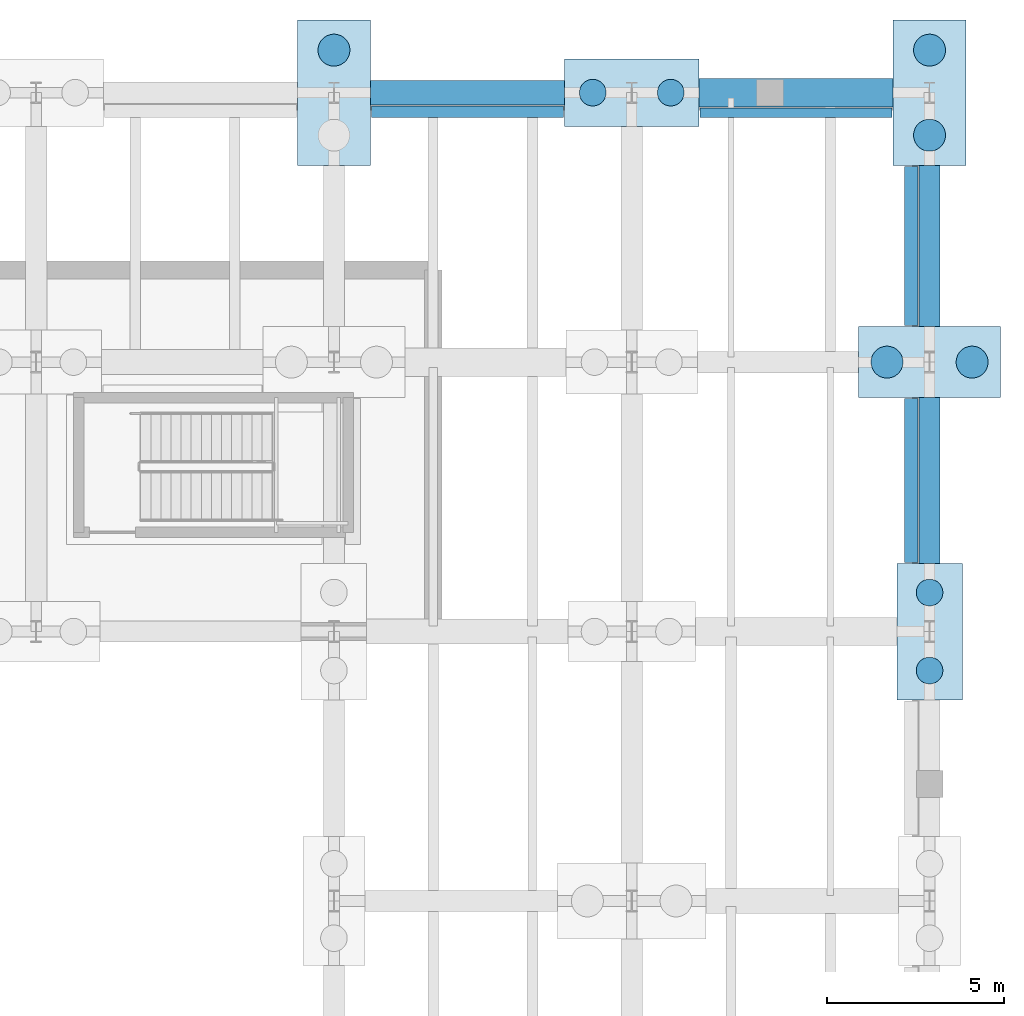
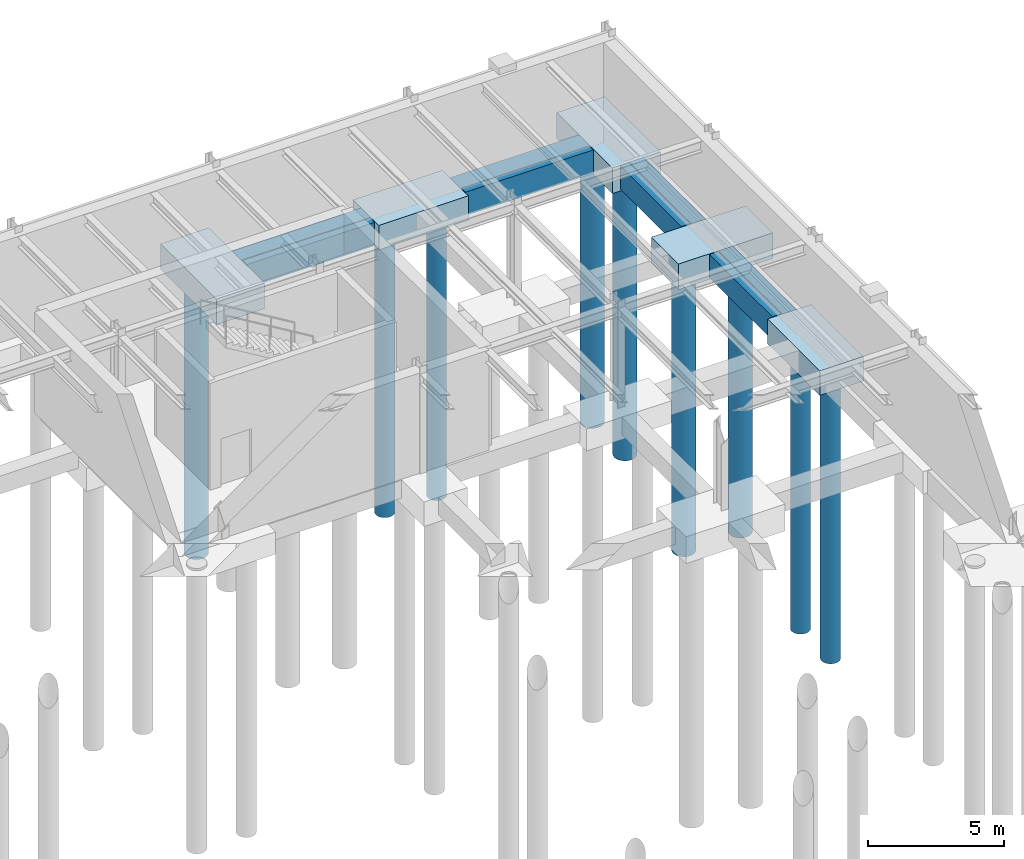
# One storey, part 13 of 59: 13 footings, 9 piles.
"""IFC4 building model written with IfcOpenShell, lengths in metres."""

from ifc_helpers import new_model, si_unit, direction, frame, origin, origin_2d, place, context, subcontext, project, spatial, polyline, rectangle, circle, outline, extrude, material, material_profile, profile_set, type_object, element, save


model = new_model("IFC4")

# Units and contexts
model_context = context("Model", 3, precision=1e-05, world=origin(), true_north=direction((0.0, 1.0)))
body_context = subcontext(model_context, "Body", "Model", "MODEL_VIEW")
ifc_project = project(units=[si_unit("LENGTHUNIT", "METRE"), si_unit("AREAUNIT", "SQUARE_METRE"), si_unit("VOLUMEUNIT", "CUBIC_METRE"), si_unit("PLANEANGLEUNIT", "RADIAN"), si_unit("MASSUNIT", "GRAM", prefix="KILO")], contexts=[model_context])

# Site, building, storey
site_placement = place(None, origin())
site = spatial("IfcSite", under=ifc_project, at=site_placement, CompositionType="ELEMENT")
building_placement = place(site_placement, origin())
building = spatial("IfcBuilding", under=site, at=building_placement, Name="Montealbar Specialist Clinic", CompositionType="ELEMENT")
storey_placement = place(building_placement, frame((0.0, 0.0, -4.800048828125)))
storey = spatial("IfcBuildingStorey", under=building, at=storey_placement, Name="B01", CompositionType="ELEMENT", Elevation=-4.800048828125)

# Footings
ifc_material = material(Name="Concrete C35/45", Category="concrete")
footing_type_1 = type_object("IfcFootingType", Name="FB-TIE-600x800", PredefinedType="FOOTING_BEAM", material=ifc_material)
footing_1_placement = place(storey_placement, frame((0.0, 0.0, -0.800048828125)))
element("IfcFooting", 1, at=footing_1_placement, inside=storey, type_object=footing_type_1, Name="Foundation Tie Beam FBY-1620-977-1024", PredefinedType="FOOTING_BEAM", context=body_context, shape_type="SweptSolid", body=[
    extrude(outline(polyline([(161.699951171875, 97.72509765625), (162.300048828125, 97.72509765625), (162.300048828125, 102.39990234375), (161.699951171875, 102.39990234375), (161.699951171875, 97.72509765625)])), origin(), (0.0, 0.0, 1.0), 0.800048828125),
])
footing_2_placement = place(storey_placement, frame((0.0, 0.0, -0.800048828125)))
element("IfcFooting", 2, at=footing_2_placement, inside=storey, type_object=footing_type_1, Name="Foundation Tie Beam FBY-1620-1044-1090", PredefinedType="FOOTING_BEAM", context=body_context, shape_type="SweptSolid", body=[
    extrude(outline(polyline([(161.699951171875, 104.39990234375), (162.300048828125, 104.39990234375), (162.300048828125, 108.949951171875), (161.699951171875, 108.949951171875), (161.699951171875, 104.39990234375)])), origin(), (0.0, 0.0, 1.0), 0.800048828125),
])
footing_type_2 = type_object("IfcFootingType", Name="FB-TIE-700x900", PredefinedType="FOOTING_BEAM", material=ifc_material)
footing_3_placement = place(storey_placement, frame((0.0, 0.0, -0.89990234375)))
element("IfcFooting", 3, at=footing_3_placement, inside=storey, type_object=footing_type_2, Name="Foundation Ground Beam FBX-1462-1517-1110", PredefinedType="FOOTING_BEAM", context=body_context, shape_type="SweptSolid", body=[
    extrude(outline(polyline([(146.22509765625, 110.64990234375), (151.699951171875, 110.64990234375), (151.699951171875, 111.35009765625), (146.22509765625, 111.35009765625), (146.22509765625, 110.64990234375)])), origin(), (0.0, 0.0, 1.0), 0.89990234375),
])
footing_type_3 = type_object("IfcFootingType", Name="FB-TIE-800x1000", PredefinedType="FOOTING_BEAM", material=ifc_material)
footing_4_placement = place(storey_placement, frame((0.0, 0.0, -1.0)))
element("IfcFooting", 4, at=footing_4_placement, inside=storey, type_object=footing_type_3, Name="Foundation Ground Beam FBX-1555-1610-1110", PredefinedType="FOOTING_BEAM", context=body_context, shape_type="SweptSolid", body=[
    extrude(outline(polyline([(155.5, 110.60009765625), (160.97509765625, 110.60009765625), (160.97509765625, 111.39990234375), (155.5, 111.39990234375), (155.5, 110.60009765625)])), origin(), (0.0, 0.0, 1.0), 1.0),
])
footing_type_4 = type_object("IfcFootingType", Name="FT-CORE-STRIP", PredefinedType="STRIP_FOOTING", material=ifc_material)
footing_5_placement = place(storey_placement, frame((0.0, 0.0, -1.050048828125)))
element("IfcFooting", 5, at=footing_5_placement, inside=storey, type_object=footing_type_4, Name="Strip Footing FT-PLINTH-N-ALL-10", PredefinedType="STRIP_FOOTING", context=body_context, shape_type="SweptSolid", body=[
    extrude(outline(polyline([(146.2548828125, 110.300048828125), (146.2548828125, 110.6201171875), (151.669921875, 110.6201171875), (151.669921875, 110.300048828125), (146.2548828125, 110.300048828125)])), origin(), (0.0, 0.0, 1.0), 1.050048828125),
])
footing_6_placement = place(storey_placement, frame((0.0, 0.0, -1.050048828125)))
element("IfcFooting", 6, at=footing_6_placement, inside=storey, type_object=footing_type_4, Name="Strip Footing FT-PLINTH-N-ALL-11", PredefinedType="STRIP_FOOTING", context=body_context, shape_type="SweptSolid", body=[
    extrude(outline(polyline([(155.530029296875, 110.300048828125), (155.530029296875, 110.570068359375), (160.945068359375, 110.570068359375), (160.945068359375, 110.300048828125), (155.530029296875, 110.300048828125)])), origin(), (0.0, 0.0, 1.0), 1.050048828125),
])
footing_7_placement = place(storey_placement, frame((0.0, 0.0, -1.050048828125)))
element("IfcFooting", 7, at=footing_7_placement, inside=storey, type_object=footing_type_4, Name="Strip Footing FT-PLINTH-NE-E-2", PredefinedType="STRIP_FOOTING", context=body_context, shape_type="SweptSolid", body=[
    extrude(outline(polyline([(161.300048828125, 102.3701171875), (161.669921875, 102.3701171875), (161.669921875, 97.7548828125), (161.300048828125, 97.7548828125), (161.300048828125, 102.3701171875)])), origin(), (0.0, 0.0, 1.0), 1.050048828125),
])
footing_8_placement = place(storey_placement, frame((0.0, 0.0, -1.050048828125)))
element("IfcFooting", 8, at=footing_8_placement, inside=storey, type_object=footing_type_4, Name="Strip Footing FT-PLINTH-NE-E-3", PredefinedType="STRIP_FOOTING", context=body_context, shape_type="SweptSolid", body=[
    extrude(outline(polyline([(161.669921875, 108.919921875), (161.669921875, 104.429931640625), (161.300048828125, 104.429931640625), (161.300048828125, 108.919921875), (161.669921875, 108.919921875)])), origin(), (0.0, 0.0, 1.0), 1.050048828125),
])
footing_type_5 = type_object("IfcFootingType", Name="PC-2C", PredefinedType="PILE_CAP", material=ifc_material)
footing_9_placement = place(storey_placement, frame((153.60009765625, 111.0, -1.10009765625), z_axis=(0.0, 0.0, 1.0), x_axis=(1.0, 0.0, 0.0)))
element("IfcFooting", 9, at=footing_9_placement, inside=storey, type_object=footing_type_5, Name="Pile Cap 20/P", PredefinedType="PILE_CAP", context=body_context, shape_type="SweptSolid", body=[
    extrude(rectangle(XDim=3.800048828125, YDim=1.89990234375, at=origin_2d()), origin(), (0.0, 0.0, 1.0), 1.10009765625),
])
footing_type_6 = type_object("IfcFootingType", Name="PC-2E", PredefinedType="PILE_CAP", material=ifc_material)
footing_10_placement = place(storey_placement, frame((162.0, 95.800048828125, -1.10009765625), z_axis=(0.0, 0.0, 1.0), x_axis=(1.0, 0.0, 0.0)))
element("IfcFooting", 10, at=footing_10_placement, inside=storey, type_object=footing_type_6, Name="Pile Cap 21/M", PredefinedType="PILE_CAP", context=body_context, shape_type="SweptSolid", body=[
    extrude(rectangle(XDim=1.85009765625, YDim=3.85009765625, at=origin_2d()), origin(), (0.0, 0.0, 1.0), 1.10009765625),
])
footing_type_7 = type_object("IfcFootingType", Name="PC-2F", PredefinedType="PILE_CAP", material=ifc_material)
footing_11_placement = place(storey_placement, frame((162.0, 103.39990234375, -1.14990234375), z_axis=(0.0, 0.0, 1.0), x_axis=(1.0, 0.0, 0.0)))
element("IfcFooting", 11, at=footing_11_placement, inside=storey, type_object=footing_type_7, Name="Pile Cap 21/N", PredefinedType="PILE_CAP", context=body_context, shape_type="SweptSolid", body=[
    extrude(rectangle(XDim=4.0, YDim=2.0, at=origin_2d()), origin(), (0.0, 0.0, 1.0), 1.14990234375),
])
footing_type_8 = type_object("IfcFootingType", Name="PC-2G", PredefinedType="PILE_CAP", material=ifc_material)
for number, where, z_axis, x_axis, name in (
    (12, (145.199951171875, 111.0, -1.14990234375), (0.0, 0.0, 1.0), (1.0, 0.0, 0.0), "Pile Cap 19/P"),
    (13, (162.0, 111.0, -1.14990234375), (0.0, 0.0, 1.0), (1.0, 0.0, 0.0), "Pile Cap 21/P"),
):
    element("IfcFooting", number, at=place(storey_placement, frame(where, z_axis=z_axis, x_axis=x_axis)), inside=storey, type_object=footing_type_8, Name=name, PredefinedType="PILE_CAP", context=body_context, shape_type="SweptSolid", body=[
        extrude(rectangle(XDim=2.050048828125, YDim=4.10009765625, at=origin_2d()), origin(), (0.0, 0.0, 1.0), 1.14990234375),
    ])

# Piles
ifc_material_profile_1 = material_profile(ifc_material, circle(Radius=0.375, at=origin_2d()), Name="PILE D750", Category="concrete")
ifc_profile_set_1 = profile_set([ifc_material_profile_1], Name="Concrete C35/45")
pile_type_1 = type_object("IfcPileType", Name="PILE-D750", PredefinedType="BORED", material=ifc_profile_set_1)
for number, where, z_axis, x_axis, name in (
    (14, (152.5, 111.0, -1.0), (0.0, 0.0, -1.0), (1.0, 0.0, 0.0), "Bored Pile 20/P-P1"),
    (15, (154.699951171875, 111.0, -1.0), (0.0, 0.0, -1.0), (1.0, 0.0, 0.0), "Bored Pile 20/P-P2"),
    (16, (162.0, 94.699951171875, -1.0), (0.0, 0.0, -1.0), (1.0, 0.0, 0.0), "Bored Pile 21/M-P1"),
    (17, (162.0, 96.89990234375, -1.0), (0.0, 0.0, -1.0), (1.0, 0.0, 0.0), "Bored Pile 21/M-P2"),
):
    element("IfcPile", number, at=place(storey_placement, frame(where, z_axis=z_axis, x_axis=x_axis)), inside=storey, type_object=pile_type_1, Name=name, PredefinedType="BORED", context=body_context, shape_type="SweptSolid", body=[
        extrude(circle(Radius=0.375, at=origin_2d()), origin(), (0.0, 0.0, 1.0), 12.699951171875),
    ])
ifc_material_profile_2 = material_profile(ifc_material, circle(Radius=0.449951171875, at=origin_2d()), Name="PILE D900", Category="concrete")
ifc_profile_set_2 = profile_set([ifc_material_profile_2], Name="Concrete C35/45")
pile_type_2 = type_object("IfcPileType", Name="PILE-D900", PredefinedType="BORED", material=ifc_profile_set_2)
for number, where, z_axis, x_axis, name in (
    (18, (145.199951171875, 112.199951171875, -1.050048828125), (0.0, 0.0, -1.0), (1.0, 0.0, 0.0), "Bored Pile 19/P-P2"),
    (19, (160.800048828125, 103.39990234375, -1.050048828125), (0.0, 0.0, -1.0), (1.0, 0.0, 0.0), "Bored Pile 21/N-P1"),
    (20, (163.199951171875, 103.39990234375, -1.050048828125), (0.0, 0.0, -1.0), (1.0, 0.0, 0.0), "Bored Pile 21/N-P2"),
    (21, (162.0, 109.800048828125, -1.050048828125), (0.0, 0.0, -1.0), (1.0, 0.0, 0.0), "Bored Pile 21/P-P1"),
    (22, (162.0, 112.199951171875, -1.050048828125), (0.0, 0.0, -1.0), (1.0, 0.0, 0.0), "Bored Pile 21/P-P2"),
):
    element("IfcPile", number, at=place(storey_placement, frame(where, z_axis=z_axis, x_axis=x_axis)), inside=storey, type_object=pile_type_2, Name=name, PredefinedType="BORED", context=body_context, shape_type="SweptSolid", body=[
        extrude(circle(Radius=0.449951171875, at=origin_2d()), origin(), (0.0, 0.0, 1.0), 12.64990234375),
    ])

save(model, "model.ifc")
